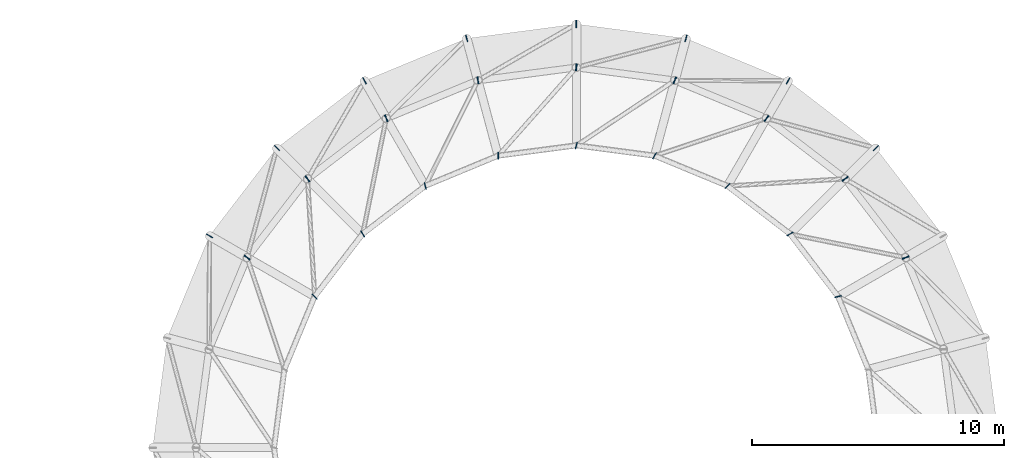
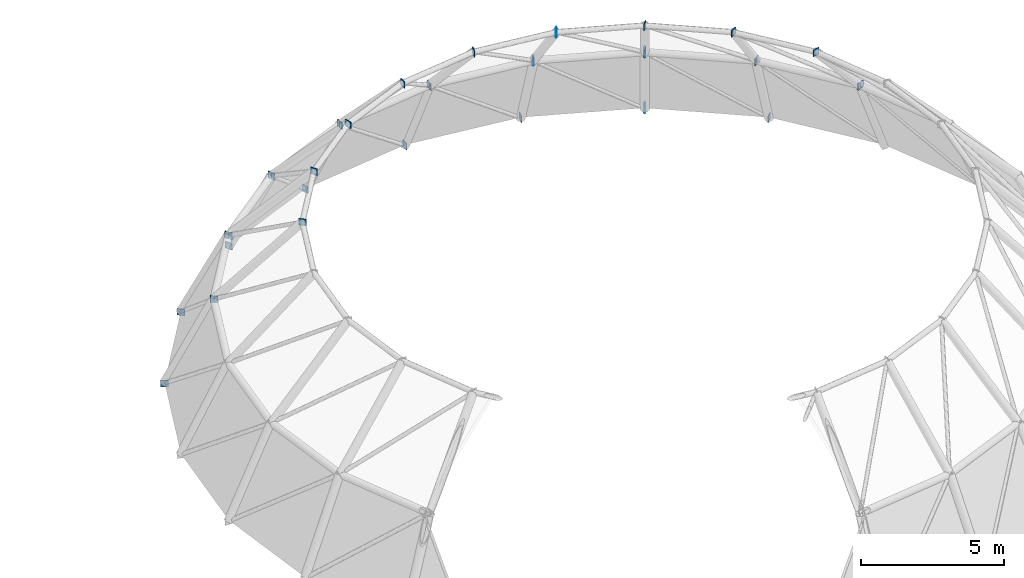
# One storey, part 41 of 48: 35 discrete accessories.
"""IFC4 building model written with IfcOpenShell, lengths in metres."""

from ifc_helpers import new_model, si_unit, direction, frame, origin, origin_2d, place, context, subcontext, project, spatial, rectangle, extrude, material, type_object, element, save


model = new_model("IFC4")

# Units and contexts
model_context = context("Model", 3, precision=1e-05, world=origin(), true_north=direction((0.0, 1.0)))
body_context = subcontext(model_context, "Body", "Model", "MODEL_VIEW")
ifc_project = project(units=[si_unit("LENGTHUNIT", "METRE"), si_unit("AREAUNIT", "SQUARE_METRE"), si_unit("VOLUMEUNIT", "CUBIC_METRE"), si_unit("PLANEANGLEUNIT", "RADIAN"), si_unit("MASSUNIT", "GRAM", prefix="KILO")], contexts=[model_context])

# Site, building, storey
site_placement = place(None, origin())
site = spatial("IfcSite", under=ifc_project, at=site_placement, CompositionType="ELEMENT")
building_placement = place(site_placement, origin())
building = spatial("IfcBuilding", under=site, at=building_placement, Name="Kandorven Conservatory and Botanical Research Centre", CompositionType="ELEMENT")
storey_placement = place(building_placement, frame((0.0, 0.0, 13.199951171875)))
storey = spatial("IfcBuildingStorey", under=building, at=storey_placement, Name="L03", CompositionType="ELEMENT", Elevation=13.199951171875)

# Discrete accessories
ifc_material = material(Name="Steel S355 (IS 2062 E350)", Category="steel")
discrete_accessory_type = type_object("IfcDiscreteAccessoryType", Name="BraceGussetPlate", PredefinedType="BRACKET", material=ifc_material)
for number, where, z_axis, x_axis, name in (
    (1, (100.677001953125, 55.35009765625, 1.06005859375), (0.0, 0.0, 1.0), (0.965925826289, 0.258819045103, 0.0), "Conservatory dome node gusset plate T1-S02-B"),
    (2, (98.27734375, 58.477294921875, 1.06005859375), (0.0, 0.0, 1.0), (0.866025403784, 0.5, 0.0), "Conservatory dome node gusset plate T1-S03-B"),
    (3, (99.4970703125, 59.697021484375, -2.5400390625), (0.0, 0.0, 1.0), (0.707106781187, 0.707106781187, 0.0), "Conservatory dome node gusset plate T1-S04-A"),
    (4, (95.14990234375, 60.876953125, 1.06005859375), (0.0, 0.0, 1.0), (0.707106781187, 0.707106781187, 0.0), "Conservatory dome node gusset plate T1-S04-B"),
    (5, (96.012451171875, 62.370849609375, -2.5400390625), (0.0, 0.0, 1.0), (0.5, 0.866025403784, 0.0), "Conservatory dome node gusset plate T1-S05-A"),
    (6, (91.50830078125, 62.385498046875, 1.06005859375), (0.0, 0.0, 1.0), (0.5, 0.866025403784, 0.0), "Conservatory dome node gusset plate T1-S05-B"),
    (7, (91.95458984375, 64.0517578125, -2.5400390625), (0.0, 0.0, 1.0), (0.258819045103, 0.965925826289, 0.0), "Conservatory dome node gusset plate T1-S06-A"),
    (8, (87.60009765625, 62.89990234375, 1.06005859375), (0.0, 0.0, 1.0), (0.258819045103, 0.965925826289, 0.0), "Conservatory dome node gusset plate T1-S06-B"),
    (9, (87.60009765625, 64.625, -2.5400390625), (0.0, 0.0, 1.0), (0.0, 1.0, 0.0), "Conservatory dome node gusset plate T1-S07-A"),
    (10, (83.69189453125, 62.385498046875, 1.06005859375), (0.0, 0.0, 1.0), (0.0, 1.0, 0.0), "Conservatory dome node gusset plate T1-S07-B"),
    (11, (83.245361328125, 64.0517578125, -2.5400390625), (0.0, 0.0, 1.0), (-0.258819045103, 0.965925826289, 0.0), "Conservatory dome node gusset plate T1-S08-A"),
    (12, (80.050048828125, 60.876953125, 1.06005859375), (0.0, 0.0, 1.0), (-0.258819045103, 0.965925826289, 0.0), "Conservatory dome node gusset plate T1-S08-B"),
    (13, (79.1875, 62.370849609375, -2.5400390625), (0.0, 0.0, 1.0), (-0.5, 0.866025403784, 0.0), "Conservatory dome node gusset plate T1-S09-A"),
    (14, (76.922607421875, 58.477294921875, 1.06005859375), (0.0, 0.0, 1.0), (-0.5, 0.866025403784, 0.0), "Conservatory dome node gusset plate T1-S09-B"),
    (15, (75.702880859375, 59.697021484375, -2.5400390625), (0.0, 0.0, 1.0), (-0.707106781187, 0.707106781187, 0.0), "Conservatory dome node gusset plate T1-S10-A"),
    (16, (74.52294921875, 55.35009765625, 1.06005859375), (0.0, 0.0, 1.0), (-0.707106781187, 0.707106781187, 0.0), "Conservatory dome node gusset plate T1-S10-B"),
    (17, (73.029052734375, 56.21240234375, -2.5400390625), (0.0, 0.0, 1.0), (-0.866025403784, 0.5, 0.0), "Conservatory dome node gusset plate T1-S11-A"),
    (18, (97.9921875, 53.800048828125, 4.35986328125), (0.0, 0.0, 1.0), (0.965925826289, 0.258819045103, 0.0), "Conservatory dome node gusset plate T2-S02-B"),
    (19, (100.677001953125, 55.35009765625, 1.06005859375), (0.0, 0.0, 1.0), (0.866025403784, 0.5, 0.0), "Conservatory dome node gusset plate T2-S03-A"),
    (20, (96.085205078125, 56.285400390625, 4.35986328125), (0.0, 0.0, 1.0), (0.866025403784, 0.5, 0.0), "Conservatory dome node gusset plate T2-S03-B"),
    (21, (98.27734375, 58.477294921875, 1.06005859375), (0.0, 0.0, 1.0), (0.707106781187, 0.707106781187, 0.0), "Conservatory dome node gusset plate T2-S04-A"),
    (22, (93.60009765625, 58.1923828125, 4.35986328125), (0.0, 0.0, 1.0), (0.707106781187, 0.707106781187, 0.0), "Conservatory dome node gusset plate T2-S04-B"),
    (23, (95.14990234375, 60.876953125, 1.06005859375), (0.0, 0.0, 1.0), (0.5, 0.866025403784, 0.0), "Conservatory dome node gusset plate T2-S05-A"),
    (24, (90.705810546875, 59.39111328125, 4.35986328125), (0.0, 0.0, 1.0), (0.5, 0.866025403784, 0.0), "Conservatory dome node gusset plate T2-S05-B"),
    (25, (91.50830078125, 62.385498046875, 1.06005859375), (0.0, 0.0, 1.0), (0.258819045103, 0.965925826289, 0.0), "Conservatory dome node gusset plate T2-S06-A"),
    (26, (87.60009765625, 59.800048828125, 4.35986328125), (0.0, 0.0, 1.0), (0.258819045103, 0.965925826289, 0.0), "Conservatory dome node gusset plate T2-S06-B"),
    (27, (87.60009765625, 62.89990234375, 1.06005859375), (0.0, 0.0, 1.0), (0.0, 1.0, 0.0), "Conservatory dome node gusset plate T2-S07-A"),
    (28, (84.494140625, 59.39111328125, 4.35986328125), (0.0, 0.0, 1.0), (0.0, 1.0, 0.0), "Conservatory dome node gusset plate T2-S07-B"),
    (29, (83.69189453125, 62.385498046875, 1.06005859375), (0.0, 0.0, 1.0), (-0.258819045103, 0.965925826289, 0.0), "Conservatory dome node gusset plate T2-S08-A"),
    (30, (81.60009765625, 58.1923828125, 4.35986328125), (0.0, 0.0, 1.0), (-0.258819045103, 0.965925826289, 0.0), "Conservatory dome node gusset plate T2-S08-B"),
    (31, (80.050048828125, 60.876953125, 1.06005859375), (0.0, 0.0, 1.0), (-0.5, 0.866025403784, 0.0), "Conservatory dome node gusset plate T2-S09-A"),
    (32, (79.11474609375, 56.285400390625, 4.35986328125), (0.0, 0.0, 1.0), (-0.5, 0.866025403784, 0.0), "Conservatory dome node gusset plate T2-S09-B"),
    (33, (76.922607421875, 58.477294921875, 1.06005859375), (0.0, 0.0, 1.0), (-0.707106781187, 0.707106781187, 0.0), "Conservatory dome node gusset plate T2-S10-A"),
    (34, (77.207763671875, 53.800048828125, 4.35986328125), (0.0, 0.0, 1.0), (-0.707106781187, 0.707106781187, 0.0), "Conservatory dome node gusset plate T2-S10-B"),
    (35, (74.52294921875, 55.35009765625, 1.06005859375), (0.0, 0.0, 1.0), (-0.866025403784, 0.5, 0.0), "Conservatory dome node gusset plate T2-S11-A"),
):
    element("IfcDiscreteAccessory", number, at=place(storey_placement, frame(where, z_axis=z_axis, x_axis=x_axis)), inside=storey, type_object=discrete_accessory_type, Name=name, PredefinedType="BRACKET", context=body_context, shape_type="SweptSolid", body=[
        extrude(rectangle(XDim=0.280029296875, YDim=0.028076171875, at=origin_2d()), origin(), (0.0, 0.0, 1.0), 0.280029296875),
    ])

save(model, "model.ifc")
